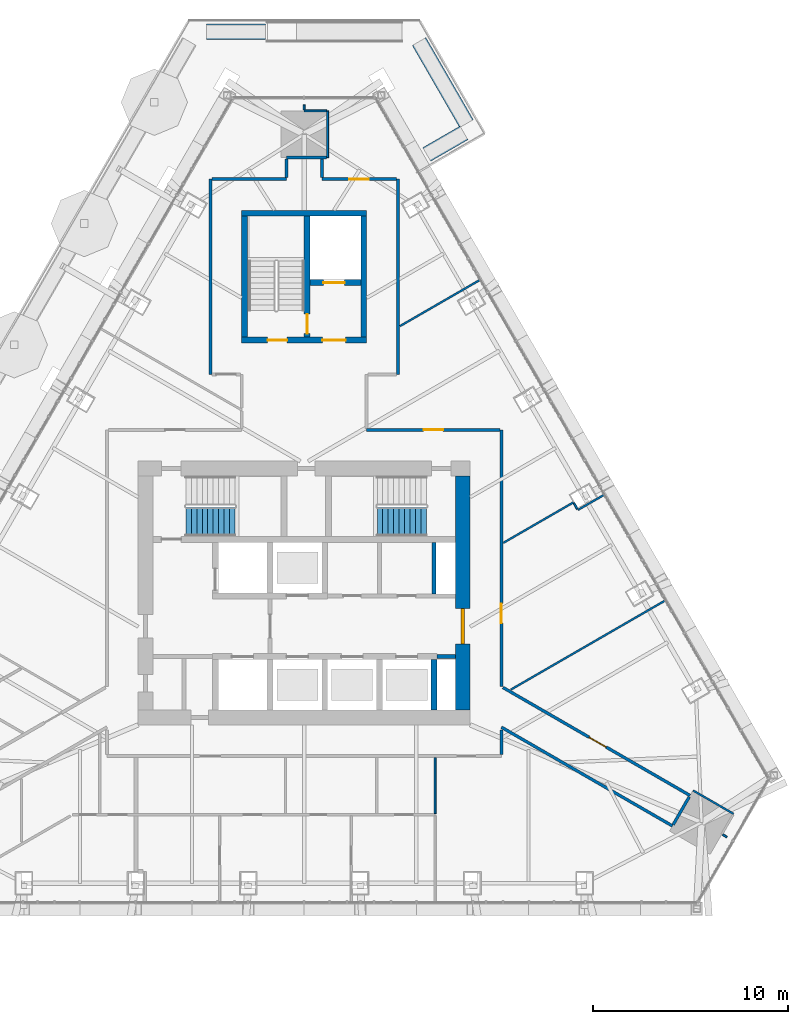
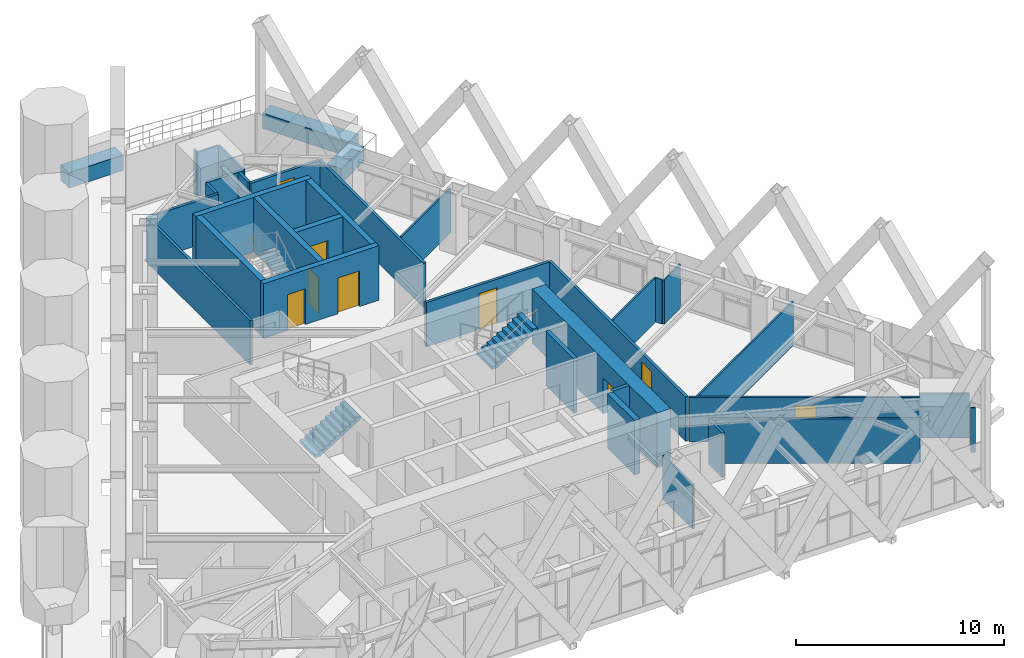
# One storey, part 20 of 24: 37 walls, 9 doors, 2 stair flights, 9 openings, 2 elements without a shape of their own.
"""IFC4 building model written with IfcOpenShell, lengths in metres."""

from ifc_helpers import new_model, si_unit, direction, frame, frame_2d, origin, place, context, subcontext, project, spatial, polyline, rectangle, outline, extrude, material, layer, layer_set, type_object, element, fill, aggregate, save


model = new_model("IFC4")

# Units and contexts
model_context = context("Model", 3, precision=1e-05, world=origin(), true_north=direction((0.0, 1.0)))
body_context = subcontext(model_context, "Body", "Model", "MODEL_VIEW")
ifc_project = project(units=[si_unit("LENGTHUNIT", "METRE"), si_unit("AREAUNIT", "SQUARE_METRE"), si_unit("VOLUMEUNIT", "CUBIC_METRE"), si_unit("PLANEANGLEUNIT", "RADIAN"), si_unit("MASSUNIT", "GRAM", prefix="KILO")], contexts=[model_context])

# Site, building, storey
site_placement = place(None, origin())
site = spatial("IfcSite", under=ifc_project, at=site_placement, CompositionType="ELEMENT")
building_placement = place(site_placement, origin())
building = spatial("IfcBuilding", under=site, at=building_placement, Name="Firuza Gate Tower and Library", CompositionType="ELEMENT")
storey_placement = place(building_placement, frame((0.0, 0.0, 323.10009765625)))
storey = spatial("IfcBuildingStorey", under=building, at=storey_placement, Name="L79", CompositionType="ELEMENT", Elevation=323.10009765625)

# Walls
ifc_material_1 = material(Name="Plasterboard on steel studs", Category="steel")
ifc_layer_1 = layer(ifc_material_1, 0.199951171875)
ifc_layer_set_1 = layer_set([ifc_layer_1], Name="Core partition 200 EI 120")
wall_type_1 = type_object("IfcWallType", Name="Core partition 200 EI 120", PredefinedType="PARTITIONING", material=ifc_layer_set_1)
wall_1_placement = place(storey_placement, frame((81.800048828125, 71.75, 0.0), z_axis=(0.0, 0.0, 1.0), x_axis=(1.0, 0.0, 0.0)))
element("IfcWall", 1, at=wall_1_placement, inside=storey, type_object=wall_type_1, Name="Core partition L79 2", PredefinedType="PARTITIONING", context=body_context, shape_type="SweptSolid", body=[
    extrude(rectangle(XDim=0.949951171875, YDim=0.199951171875, at=frame_2d((0.47509765625, 0.0))), origin(), (0.0, 0.0, 1.0), 3.199951171875),
])
wall_2_placement = place(storey_placement, frame((81.64990234375, 74.949951171875, 0.0), z_axis=(0.0, 0.0, 1.0), x_axis=(0.0, 1.0, 0.0)))
element("IfcWall", 2, at=wall_2_placement, inside=storey, type_object=wall_type_1, Name="Core partition L79 7", PredefinedType="PARTITIONING", context=body_context, shape_type="SweptSolid", body=[
    extrude(rectangle(XDim=2.650146484375, YDim=0.199951171875, at=frame_2d((1.3251953125, 0.0))), origin(), (0.0, 0.0, 1.0), 3.199951171875),
])
ifc_material_2 = material(Name="Concrete C60/75", Category="concrete")
ifc_layer_2 = layer(ifc_material_2, 0.300048828125)
ifc_layer_set_2 = layer_set([ifc_layer_2], Name="Core wall 300 C60/75")
wall_type_2 = type_object("IfcWallType", Name="Core wall 300 C60/75", PredefinedType="SHEAR", material=ifc_layer_set_2)
wall_3_placement = place(storey_placement, frame((81.64990234375, 69.0, 0.0), z_axis=(0.0, 0.0, 1.0), x_axis=(0.0, 1.0, 0.0)))
element("IfcWall", 3, at=wall_3_placement, inside=storey, type_object=wall_type_2, Name="Core wall L79 14", PredefinedType="SHEAR", context=body_context, shape_type="SweptSolid", body=[
    extrude(rectangle(XDim=2.60009765625, YDim=0.300048828125, at=frame_2d((1.300048828125, 0.0))), origin(), (0.0, 0.0, 1.0), 3.199951171875),
])

# Wall, openings, doors
wall_4_placement = place(storey_placement, frame((71.800048828125, 87.949951171875, 0.0), z_axis=(0.0, 0.0, 1.0), x_axis=(1.0, 0.0, 0.0)))
wall_4 = element("IfcWall", 4, at=wall_4_placement, inside=storey, type_object=wall_type_2, Name="Core wall L79 18", PredefinedType="SHEAR", context=body_context, shape_type="SweptSolid", body=[
    extrude(rectangle(XDim=6.39990234375, YDim=0.300048828125, at=frame_2d((3.199951171875, 0.0))), origin(), (0.0, 0.0, 1.0), 3.199951171875),
])
opening_1_placement = place(wall_4_placement, frame((1.324951171875, 0.0, 0.0)))
opening_1 = element("IfcOpeningElement", 5, at=opening_1_placement, cuts=wall_4, Name="Opening L79-K11", PredefinedType="OPENING", context=body_context, shape_type="SweptSolid", body=[
    extrude(rectangle(XDim=1.0, YDim=2.10009765625, at=frame_2d((0.5, 1.050048828125))), frame((0.0, 0.16015625, 0.0), z_axis=(0.0, -1.0, 0.0), x_axis=(1.0, 0.0, 0.0)), (0.0, 0.0, 1.0), 0.320068359375),
])
opening_2_placement = place(wall_4_placement, frame((4.125, 0.0, 0.0)))
opening_2 = element("IfcOpeningElement", 6, at=opening_2_placement, cuts=wall_4, Name="Opening L79-K13", PredefinedType="OPENING", context=body_context, shape_type="SweptSolid", body=[
    extrude(rectangle(XDim=1.199951171875, YDim=2.10009765625, at=frame_2d((0.60009765625, 1.050048828125))), frame((0.0, 0.16015625, 0.0), z_axis=(0.0, -1.0, 0.0), x_axis=(1.0, 0.0, 0.0)), (0.0, 0.0, 1.0), 0.320068359375),
])
ifc_material_3 = material(Name="Steel", Category="steel")
door_type_1 = type_object("IfcDoorType", Name="Fire door 1000x2100 FD90", OperationType="NOTDEFINED", PredefinedType="DOOR", material=ifc_material_3)
door_1_placement = place(opening_1_placement, origin())
door_1 = element("IfcDoor", 7, at=door_1_placement, inside=storey, type_object=door_type_1, Name="Door L79-K11", OperationType="SINGLE_SWING_RIGHT", OverallHeight=2.10009765625, OverallWidth=1.0, PredefinedType="DOOR", context=body_context, shape_type="SweptSolid", body=[
    extrude(rectangle(XDim=1.0, YDim=2.10009765625, at=frame_2d((0.5, 1.050048828125))), frame((0.0, 0.02490234375, 0.0), z_axis=(0.0, -1.0, 0.0), x_axis=(1.0, 0.0, 0.0)), (0.0, 0.0, 1.0), 0.050048828125),
])
fill(opening_1, door_1)
ifc_material_4 = material(Name="Steel", Category="steel")
door_type_2 = type_object("IfcDoorType", Name="Fire door 1200x2100 FD30S", OperationType="NOTDEFINED", PredefinedType="DOOR", material=ifc_material_4)
door_2_placement = place(opening_2_placement, origin())
door_2 = element("IfcDoor", 8, at=door_2_placement, inside=storey, type_object=door_type_2, Name="Door L79-K13", OperationType="SINGLE_SWING_RIGHT", OverallHeight=2.10009765625, OverallWidth=1.199951171875, PredefinedType="DOOR", context=body_context, shape_type="SweptSolid", body=[
    extrude(rectangle(XDim=1.199951171875, YDim=2.10009765625, at=frame_2d((0.60009765625, 1.050048828125))), frame((0.0, 0.02490234375, 0.0), z_axis=(0.0, -1.0, 0.0), x_axis=(1.0, 0.0, 0.0)), (0.0, 0.0, 1.0), 0.050048828125),
])
fill(opening_2, door_2)

# Walls
wall_5_placement = place(storey_placement, frame((71.800048828125, 94.449951171875, 0.0), z_axis=(0.0, 0.0, 1.0), x_axis=(1.0, 0.0, 0.0)))
element("IfcWall", 9, at=wall_5_placement, inside=storey, type_object=wall_type_2, Name="Core wall L79 19", PredefinedType="SHEAR", context=body_context, shape_type="SweptSolid", body=[
    extrude(rectangle(XDim=6.39990234375, YDim=0.300048828125, at=frame_2d((3.199951171875, 0.0))), origin(), (0.0, 0.0, 1.0), 3.199951171875),
])
for number, where, z_axis, x_axis, name in (
    (10, (71.949951171875, 88.10009765625, 0.0), (0.0, 0.0, 1.0), (0.0, 1.0, 0.0), "Core wall L79 20"),
    (11, (78.050048828125, 88.10009765625, 0.0), (0.0, 0.0, 1.0), (0.0, 1.0, 0.0), "Core wall L79 21"),
):
    element("IfcWall", number, at=place(storey_placement, frame(where, z_axis=z_axis, x_axis=x_axis)), inside=storey, type_object=wall_type_2, Name=name, PredefinedType="SHEAR", context=body_context, shape_type="SweptSolid", body=[
        extrude(rectangle(XDim=6.199951171875, YDim=0.300048828125, at=frame_2d((3.10009765625, 0.0))), origin(), (0.0, 0.0, 1.0), 3.199951171875),
    ])

# Wall, opening, door
wall_6_placement = place(storey_placement, frame((75.300048828125, 90.89990234375, 0.0), z_axis=(0.0, 0.0, 1.0), x_axis=(1.0, 0.0, 0.0)))
wall_6 = element("IfcWall", 12, at=wall_6_placement, inside=storey, type_object=wall_type_2, Name="Core wall L79 22", PredefinedType="SHEAR", context=body_context, shape_type="SweptSolid", body=[
    extrude(rectangle(XDim=2.599853515625, YDim=0.300048828125, at=frame_2d((1.2998046875, 0.0))), origin(), (0.0, 0.0, 1.0), 3.199951171875),
])
opening_3_placement = place(wall_6_placement, frame((0.675048828125, 0.0, 0.0)))
opening_3 = element("IfcOpeningElement", 13, at=opening_3_placement, cuts=wall_6, Name="Opening LD-SV1-L79", PredefinedType="OPENING", context=body_context, shape_type="SweptSolid", body=[
    extrude(rectangle(XDim=1.10009765625, YDim=2.10009765625, at=frame_2d((0.550048828125, 1.050048828125))), frame((0.0, 0.16015625, 0.0), z_axis=(0.0, -1.0, 0.0), x_axis=(1.0, 0.0, 0.0)), (0.0, 0.0, 1.0), 0.320068359375),
])
ifc_material_5 = material(Name="Stainless steel", Category="steel")
door_type_3 = type_object("IfcDoorType", Name="Lift landing door 1100x2100", OperationType="DOUBLE_DOOR_SLIDING", PredefinedType="DOOR", material=ifc_material_5)
door_3_placement = place(opening_3_placement, origin())
door_3 = element("IfcDoor", 14, at=door_3_placement, inside=storey, type_object=door_type_3, Name="Landing door SV1 L79", OperationType="DOUBLE_DOOR_SLIDING", OverallHeight=2.10009765625, OverallWidth=1.10009765625, PredefinedType="DOOR", context=body_context, shape_type="SweptSolid", body=[
    extrude(rectangle(XDim=1.10009765625, YDim=2.10009765625, at=frame_2d((0.550048828125, 1.050048828125))), frame((0.0, 0.02490234375, 0.0), z_axis=(0.0, -1.0, 0.0), x_axis=(1.0, 0.0, 0.0)), (0.0, 0.0, 1.0), 0.050048828125),
])
fill(opening_3, door_3)

wall_7_placement = place(storey_placement, frame((75.14990234375, 88.10009765625, 0.0), z_axis=(0.0, 0.0, 1.0), x_axis=(0.0, 1.0, 0.0)))
wall_7 = element("IfcWall", 15, at=wall_7_placement, inside=storey, type_object=wall_type_2, Name="Core wall L79 23", PredefinedType="SHEAR", context=body_context, shape_type="SweptSolid", body=[
    extrude(rectangle(XDim=6.199951171875, YDim=0.300048828125, at=frame_2d((3.10009765625, 0.0))), origin(), (0.0, 0.0, 1.0), 3.199951171875),
])
opening_4_placement = place(wall_7_placement, frame((0.18505859375, 0.0, 0.0)))
opening_4 = element("IfcOpeningElement", 16, at=opening_4_placement, cuts=wall_7, Name="Opening L79-K12", PredefinedType="OPENING", context=body_context, shape_type="SweptSolid", body=[
    extrude(rectangle(XDim=1.0, YDim=2.10009765625, at=frame_2d((0.5, 1.050048828125))), frame((0.0, 0.16015625, 0.0), z_axis=(0.0, -1.0, 0.0), x_axis=(1.0, 0.0, 0.0)), (0.0, 0.0, 1.0), 0.320068359375),
])
door_4_placement = place(opening_4_placement, origin())
door_4 = element("IfcDoor", 17, at=door_4_placement, inside=storey, type_object=door_type_1, Name="Door L79-K12", OperationType="SINGLE_SWING_LEFT", OverallHeight=2.10009765625, OverallWidth=1.0, PredefinedType="DOOR", context=body_context, shape_type="SweptSolid", body=[
    extrude(rectangle(XDim=1.0, YDim=2.10009765625, at=frame_2d((0.5, 1.050048828125))), frame((0.0, 0.02490234375, 0.0), z_axis=(0.0, -1.0, 0.0), x_axis=(1.0, 0.0, 0.0)), (0.0, 0.0, 1.0), 0.050048828125),
])
fill(opening_4, door_4)

ifc_material_6 = material(Name="Concrete C60/75", Category="concrete")
ifc_layer_3 = layer(ifc_material_6, 0.75)
ifc_layer_set_3 = layer_set([ifc_layer_3], Name="Core wall 750 C60/75")
wall_type_3 = type_object("IfcWallType", Name="Core wall 750 C60/75", PredefinedType="SHEAR", material=ifc_layer_set_3)
wall_8_placement = place(storey_placement, frame((83.125, 69.0, 0.0), z_axis=(0.0, 0.0, 1.0), x_axis=(0.0, 1.0, 0.0)))
wall_8 = element("IfcWall", 18, at=wall_8_placement, inside=storey, type_object=wall_type_3, Name="Core wall L79 4", PredefinedType="SHEAR", context=body_context, shape_type="SweptSolid", body=[
    extrude(rectangle(XDim=12.0, YDim=0.75, at=frame_2d((6.0, 0.0))), origin(), (0.0, 0.0, 1.0), 3.199951171875),
])
opening_5_placement = place(wall_8_placement, frame((3.39990234375, 0.0, 0.0)))
opening_5 = element("IfcOpeningElement", 19, at=opening_5_placement, cuts=wall_8, Name="Opening L79-K16", PredefinedType="OPENING", context=body_context, shape_type="SweptSolid", body=[
    extrude(rectangle(XDim=1.800048828125, YDim=2.10009765625, at=frame_2d((0.89990234375, 1.050048828125))), frame((0.0, 0.385009765625, 0.0), z_axis=(0.0, -1.0, 0.0), x_axis=(1.0, 0.0, 0.0)), (0.0, 0.0, 1.0), 0.77001953125),
])
ifc_material_7 = material(Name="Steel", Category="steel")
door_type_4 = type_object("IfcDoorType", Name="Fire door 1800x2100 FD30S", OperationType="NOTDEFINED", PredefinedType="DOOR", material=ifc_material_7)
door_5_placement = place(opening_5_placement, origin())
door_5 = element("IfcDoor", 20, at=door_5_placement, inside=storey, type_object=door_type_4, Name="Door L79-K16", OperationType="SINGLE_SWING_LEFT", OverallHeight=2.10009765625, OverallWidth=1.800048828125, PredefinedType="DOOR", context=body_context, shape_type="SweptSolid", body=[
    extrude(rectangle(XDim=1.800048828125, YDim=2.10009765625, at=frame_2d((0.89990234375, 1.050048828125))), frame((0.0, 0.094970703125, 0.0), z_axis=(0.0, -1.0, 0.0), x_axis=(1.0, 0.0, 0.0)), (0.0, 0.0, 1.0), 0.18994140625),
])
fill(opening_5, door_5)

ifc_material_8 = material(Name="Gypsum board partition")
ifc_layer_4 = layer(ifc_material_8, 0.14990234375)
ifc_layer_set_4 = layer_set([ifc_layer_4], Name="Corridor wall 150 double board on steel studs")
wall_type_4 = type_object("IfcWallType", Name="Corridor wall 150 double board on steel studs", PredefinedType="PARTITIONING", material=ifc_layer_set_4)
wall_9_placement = place(storey_placement, frame((78.199951171875, 83.35009765625, 0.0), z_axis=(0.0, 0.0, 1.0), x_axis=(1.0, 0.0, 0.0)))
wall_9 = element("IfcWall", 21, at=wall_9_placement, inside=storey, type_object=wall_type_4, Name="f:L79:w004", PredefinedType="PARTITIONING", context=body_context, shape_type="SweptSolid", body=[
    extrude(rectangle(XDim=6.824462890625, YDim=0.14990234375, at=frame_2d((3.412109375, 0.0))), origin(), (0.0, 0.0, 1.0), 2.599853515625),
])
opening_6_placement = place(wall_9_placement, frame((2.912109375, 0.0, 0.0)))
opening_6 = element("IfcOpeningElement", 22, at=opening_6_placement, cuts=wall_9, Name="Opening L79-09", PredefinedType="OPENING", context=body_context, shape_type="SweptSolid", body=[
    extrude(rectangle(XDim=1.0, YDim=2.10009765625, at=frame_2d((0.5, 1.050048828125))), frame((0.0, 0.0849609375, 0.0), z_axis=(0.0, -1.0, 0.0), x_axis=(1.0, 0.0, 0.0)), (0.0, 0.0, 1.0), 0.169921875),
])
ifc_material_9 = material(Name="Steel door and timber leaf", Category="steel")
door_type_5 = type_object("IfcDoorType", Name="Fire door 1000 x 2100 steel frame, timber leaf", OperationType="NOTDEFINED", PredefinedType="DOOR", material=ifc_material_9)
door_6_placement = place(opening_6_placement, origin())
door_6 = element("IfcDoor", 23, at=door_6_placement, inside=storey, type_object=door_type_5, Name="f:L79:d009", OperationType="SINGLE_SWING_RIGHT", OverallHeight=2.10009765625, OverallWidth=1.0, PredefinedType="DOOR", context=body_context, shape_type="SweptSolid", body=[
    extrude(rectangle(XDim=1.0, YDim=2.10009765625, at=frame_2d((0.5, 1.050048828125))), frame((0.0, 0.02490234375, 0.0), z_axis=(0.0, -1.0, 0.0), x_axis=(1.0, 0.0, 0.0)), (0.0, 0.0, 1.0), 0.050048828125),
])
fill(opening_6, door_6)

# Wall
wall_10_placement = place(storey_placement, frame((70.275634765625, 96.199951171875, 0.0), z_axis=(0.0, 0.0, 1.0), x_axis=(1.0, 0.0, 0.0)))
element("IfcWall", 24, at=wall_10_placement, inside=storey, type_object=wall_type_4, Name="f:L79:w007", PredefinedType="PARTITIONING", context=body_context, shape_type="SweptSolid", body=[
    extrude(rectangle(XDim=3.824462890625, YDim=0.14990234375, at=frame_2d((1.912109375, 0.0))), origin(), (0.0, 0.0, 1.0), 2.599853515625),
])

# Wall, opening, door
wall_11_placement = place(storey_placement, frame((79.724609375, 96.199951171875, 0.0), z_axis=(0.0, 0.0, 1.0), x_axis=(-1.0, 0.0, 0.0)))
wall_11 = element("IfcWall", 25, at=wall_11_placement, inside=storey, type_object=wall_type_4, Name="f:L79:w008", PredefinedType="PARTITIONING", context=body_context, shape_type="SweptSolid", body=[
    extrude(rectangle(XDim=3.82470703125, YDim=0.14990234375, at=frame_2d((1.912353515625, 0.0))), origin(), (0.0, 0.0, 1.0), 2.599853515625),
])
opening_7_placement = place(wall_11_placement, frame((1.412353515625, 0.0, 0.0)))
opening_7 = element("IfcOpeningElement", 26, at=opening_7_placement, cuts=wall_11, Name="Opening L79-11", PredefinedType="OPENING", context=body_context, shape_type="SweptSolid", body=[
    extrude(rectangle(XDim=1.0, YDim=2.10009765625, at=frame_2d((0.5, 1.050048828125))), frame((0.0, 0.0849609375, 0.0), z_axis=(0.0, -1.0, 0.0), x_axis=(1.0, 0.0, 0.0)), (0.0, 0.0, 1.0), 0.169921875),
])
door_7_placement = place(opening_7_placement, origin())
door_7 = element("IfcDoor", 27, at=door_7_placement, inside=storey, type_object=door_type_5, Name="f:L79:d011", OperationType="SINGLE_SWING_RIGHT", OverallHeight=2.10009765625, OverallWidth=1.0, PredefinedType="DOOR", context=body_context, shape_type="SweptSolid", body=[
    extrude(rectangle(XDim=1.0, YDim=2.10009765625, at=frame_2d((0.5, 1.050048828125))), frame((0.0, 0.02490234375, 0.0), z_axis=(0.0, -1.0, 0.0), x_axis=(1.0, 0.0, 0.0)), (0.0, 0.0, 1.0), 0.050048828125),
])
fill(opening_7, door_7)

# Walls
wall_12_placement = place(storey_placement, frame((74.1005859375, 97.29296875, 0.0), z_axis=(0.0, 0.0, 1.0), x_axis=(1.0, 0.0, 0.0)))
element("IfcWall", 28, at=wall_12_placement, inside=storey, type_object=wall_type_4, Name="f:L79:w009", PredefinedType="PARTITIONING", context=body_context, shape_type="SweptSolid", body=[
    extrude(rectangle(XDim=2.048828125, YDim=0.14990234375, at=frame_2d((1.0244140625, 0.0))), origin(), (0.0, 0.0, 1.0), 2.596923828125),
])
wall_13_placement = place(storey_placement, frame((93.893310546875, 63.139892578125, 0.0), z_axis=(0.0, 0.0, 1.0), x_axis=(0.499988108725, 0.866032269107, 0.0)))
element("IfcWall", 29, at=wall_13_placement, inside=storey, type_object=wall_type_4, Name="f:L79:w021", PredefinedType="PARTITIONING", context=body_context, shape_type="SweptSolid", body=[
    extrude(rectangle(XDim=1.64404296875, YDim=0.14990234375, at=frame_2d((0.822021484375, 0.0))), origin(), (0.0, 0.0, 1.0), 2.596923828125),
])
wall_14_placement = place(storey_placement, frame((85.10009765625, 66.7255859375, 0.0), z_axis=(0.0, 0.0, 1.0), x_axis=(0.0, 1.0, 0.0)))
element("IfcWall", 30, at=wall_14_placement, inside=storey, type_object=wall_type_4, Name="f:L79:w022", PredefinedType="PARTITIONING", context=body_context, shape_type="SweptSolid", body=[
    extrude(rectangle(XDim=1.267333984375, YDim=0.14990234375, at=frame_2d((0.6337890625, 0.0))), origin(), (0.0, 0.0, 1.0), 2.596923828125),
])

# Wall, opening, door
wall_15_placement = place(storey_placement, frame((85.10009765625, 83.349365234375, 0.0), z_axis=(0.0, 0.0, 1.0), x_axis=(0.0, -1.0, 0.0)))
wall_15 = element("IfcWall", 31, at=wall_15_placement, inside=storey, type_object=wall_type_4, Name="f:L79:w023", PredefinedType="PARTITIONING", context=body_context, shape_type="SweptSolid", body=[
    extrude(rectangle(XDim=13.141357421875, YDim=0.14990234375, at=frame_2d((6.57080078125, 0.0))), origin(), (0.0, 0.0, 1.0), 2.599853515625),
])
opening_8_placement = place(wall_15_placement, frame((8.88623046875, 0.0, 0.0)))
opening_8 = element("IfcOpeningElement", 32, at=opening_8_placement, cuts=wall_15, Name="Opening L79-17", PredefinedType="OPENING", context=body_context, shape_type="SweptSolid", body=[
    extrude(rectangle(XDim=1.0, YDim=2.10009765625, at=frame_2d((0.5, 1.050048828125))), frame((0.0, 0.0849609375, 0.0), z_axis=(0.0, -1.0, 0.0), x_axis=(1.0, 0.0, 0.0)), (0.0, 0.0, 1.0), 0.169921875),
])
door_8_placement = place(opening_8_placement, origin())
door_8 = element("IfcDoor", 33, at=door_8_placement, inside=storey, type_object=door_type_5, Name="f:L79:d017", OperationType="SINGLE_SWING_RIGHT", OverallHeight=2.10009765625, OverallWidth=1.0, PredefinedType="DOOR", context=body_context, shape_type="SweptSolid", body=[
    extrude(rectangle(XDim=1.0, YDim=2.10009765625, at=frame_2d((0.5, 1.050048828125))), frame((0.0, 0.02490234375, 0.0), z_axis=(0.0, -1.0, 0.0), x_axis=(1.0, 0.0, 0.0)), (0.0, 0.0, 1.0), 0.050048828125),
])
fill(opening_8, door_8)

# Walls
wall_16_placement = place(storey_placement, frame((79.800048828125, 86.200439453125, 0.0), z_axis=(0.0, 0.0, 1.0), x_axis=(0.0, 1.0, 0.0)))
element("IfcWall", 34, at=wall_16_placement, inside=storey, type_object=wall_type_4, Name="f:L79:w025", PredefinedType="PARTITIONING", context=body_context, shape_type="SweptSolid", body=[
    extrude(rectangle(XDim=9.9990234375, YDim=0.14990234375, at=frame_2d((4.99951171875, 0.0))), origin(), (0.0, 0.0, 1.0), 2.599853515625),
])
wall_17_placement = place(storey_placement, frame((75.89990234375, 96.27490234375, 0.0), z_axis=(0.0, 0.0, 1.0), x_axis=(0.0, 1.0, 0.0)))
element("IfcWall", 35, at=wall_17_placement, inside=storey, type_object=wall_type_4, Name="f:L79:w030", PredefinedType="PARTITIONING", context=body_context, shape_type="SweptSolid", body=[
    extrude(rectangle(XDim=0.942626953125, YDim=0.14990234375, at=frame_2d((0.47119140625, 0.0))), origin(), (0.0, 0.0, 1.0), 2.599853515625),
])
wall_18_placement = place(storey_placement, frame((74.10009765625, 96.27490234375, 0.0), z_axis=(0.0, 0.0, 1.0), x_axis=(0.0, 1.0, 0.0)))
element("IfcWall", 36, at=wall_18_placement, inside=storey, type_object=wall_type_4, Name="f:L79:w032", PredefinedType="PARTITIONING", context=body_context, shape_type="SweptSolid", body=[
    extrude(rectangle(XDim=0.942138671875, YDim=0.14990234375, at=frame_2d((0.47119140625, 0.0))), origin(), (0.0, 0.0, 1.0), 2.599853515625),
])
wall_19_placement = place(storey_placement, frame((70.199951171875, 86.200439453125, 0.0), z_axis=(0.0, 0.0, 1.0), x_axis=(0.0, 1.0, 0.0)))
element("IfcWall", 37, at=wall_19_placement, inside=storey, type_object=wall_type_4, Name="f:L79:w036", PredefinedType="PARTITIONING", context=body_context, shape_type="SweptSolid", body=[
    extrude(rectangle(XDim=9.9990234375, YDim=0.14990234375, at=frame_2d((4.99951171875, 0.0))), origin(), (0.0, 0.0, 1.0), 2.599853515625),
])

# Wall, opening, door
wall_20_placement = place(storey_placement, frame((85.175048828125, 70.164794921875, 0.0), z_axis=(0.0, 0.0, 1.0), x_axis=(0.866024989193, -0.500000718093, 0.0)))
wall_20 = element("IfcWall", 38, at=wall_20_placement, inside=storey, type_object=wall_type_4, Name="f:L79:w047", PredefinedType="PARTITIONING", context=body_context, shape_type="SweptSolid", body=[
    extrude(rectangle(XDim=11.06298828125, YDim=0.14990234375, at=frame_2d((5.531494140625, 0.0))), origin(), (0.0, 0.0, 1.0), 2.599853515625),
])
opening_9_placement = place(wall_20_placement, frame((5.102294921875, 0.0, 0.0)))
opening_9 = element("IfcOpeningElement", 39, at=opening_9_placement, cuts=wall_20, Name="Opening L79-20", PredefinedType="OPENING", context=body_context, shape_type="SweptSolid", body=[
    extrude(rectangle(XDim=1.0, YDim=2.10009765625, at=frame_2d((0.5, 1.050048828125))), frame((0.0, 0.0849609375, 0.0), z_axis=(0.0, -1.0, 0.0), x_axis=(1.0, 0.0, 0.0)), (0.0, 0.0, 1.0), 0.169921875),
])
door_9_placement = place(opening_9_placement, origin())
door_9 = element("IfcDoor", 40, at=door_9_placement, inside=storey, type_object=door_type_5, Name="f:L79:d020", OperationType="SINGLE_SWING_LEFT", OverallHeight=2.10009765625, OverallWidth=1.0, PredefinedType="DOOR", context=body_context, shape_type="SweptSolid", body=[
    extrude(rectangle(XDim=1.0, YDim=2.10009765625, at=frame_2d((0.5, 1.050048828125))), frame((0.0, 0.02490234375, 0.0), z_axis=(0.0, -1.0, 0.0), x_axis=(1.0, 0.0, 0.0)), (0.0, 0.0, 1.0), 0.050048828125),
])
fill(opening_9, door_9)

# Walls
wall_21_placement = place(storey_placement, frame((93.85546875, 63.07470703125, 0.0), z_axis=(0.0, 0.0, 1.0), x_axis=(-0.866024727794, 0.500001170848, 0.0)))
element("IfcWall", 41, at=wall_21_placement, inside=storey, type_object=wall_type_4, Name="f:L79:w049", PredefinedType="PARTITIONING", context=body_context, shape_type="SweptSolid", body=[
    extrude(rectangle(XDim=10.10986328125, YDim=0.14990234375, at=frame_2d((5.054931640625, 0.0))), origin(), (0.0, 0.0, 1.0), 2.596923828125),
])
ifc_material_10 = material(Name="Gypsum board partition")
ifc_layer_5 = layer(ifc_material_10, 0.10009765625)
ifc_layer_set_5 = layer_set([ifc_layer_5], Name="Partition 100 gypsum board on steel studs")
wall_type_5 = type_object("IfcWallType", Name="Partition 100 gypsum board on steel studs", PredefinedType="PARTITIONING", material=ifc_layer_set_5)
wall_22_placement = place(storey_placement, frame((75.00048828125, 99.693115234375, 0.0), z_axis=(0.0, 0.0, 1.0), x_axis=(1.0, 0.0, 0.0)))
element("IfcWall", 42, at=wall_22_placement, inside=storey, type_object=wall_type_5, Name="f:L79:w010", PredefinedType="PARTITIONING", context=body_context, shape_type="SweptSolid", body=[
    extrude(rectangle(XDim=1.14892578125, YDim=0.10009765625, at=frame_2d((0.574462890625, 0.0))), origin(), (0.0, 0.0, 1.0), 2.599853515625),
])
wall_23_placement = place(storey_placement, frame((85.57421875, 70.051025390625, 0.0), z_axis=(0.0, 0.0, 1.0), x_axis=(0.866020575072, 0.500008363482, 0.0)))
element("IfcWall", 43, at=wall_23_placement, inside=storey, type_object=wall_type_5, Name="f:L79:w011", PredefinedType="PARTITIONING", context=body_context, shape_type="SweptSolid", body=[
    extrude(rectangle(XDim=9.140869140625, YDim=0.10009765625, at=frame_2d((4.5703125, 0.0))), origin(), (0.0, 0.0, 1.0), 2.587890625),
])
wall_24_placement = place(storey_placement, frame((89.014404296875, 79.25537109375, 0.0), z_axis=(0.0, 0.0, 1.0), x_axis=(0.866018739521, 0.500011542666, 0.0)))
element("IfcWall", 44, at=wall_24_placement, inside=storey, type_object=wall_type_5, Name="f:L79:w013", PredefinedType="PARTITIONING", context=body_context, shape_type="SweptSolid", body=[
    extrude(rectangle(XDim=1.5595703125, YDim=0.10009765625, at=frame_2d((0.77978515625, 0.0))), origin(), (0.0, 0.0, 1.0), 2.587890625),
])
wall_25_placement = place(storey_placement, frame((85.200927734375, 77.5732421875, 0.0), z_axis=(0.0, 0.0, 1.0), x_axis=(0.866029543084, 0.499992830454, 0.0)))
element("IfcWall", 45, at=wall_25_placement, inside=storey, type_object=wall_type_5, Name="f:L79:w014", PredefinedType="PARTITIONING", context=body_context, shape_type="SweptSolid", body=[
    extrude(rectangle(XDim=4.142578125, YDim=0.10009765625, at=frame_2d((2.0712890625, 0.0))), origin(), (0.0, 0.0, 1.0), 2.599853515625),
])
wall_26_placement = place(storey_placement, frame((79.90087890625, 88.667724609375, 0.0), z_axis=(0.0, 0.0, 1.0), x_axis=(0.866040813102, 0.499973309328, 0.0)))
element("IfcWall", 46, at=wall_26_placement, inside=storey, type_object=wall_type_5, Name="f:L79:w019", PredefinedType="PARTITIONING", context=body_context, shape_type="SweptSolid", body=[
    extrude(rectangle(XDim=4.745849609375, YDim=0.10009765625, at=frame_2d((2.373046875, 0.0))), origin(), (0.0, 0.0, 1.0), 2.599853515625),
])
wall_27_placement = place(storey_placement, frame((76.199951171875, 97.29296875, 0.0), z_axis=(0.0, 0.0, 1.0), x_axis=(0.0, 1.0, 0.0)))
element("IfcWall", 47, at=wall_27_placement, inside=storey, type_object=wall_type_5, Name="f:L79:w029", PredefinedType="PARTITIONING", context=body_context, shape_type="SweptSolid", body=[
    extrude(rectangle(XDim=2.399169921875, YDim=0.10009765625, at=frame_2d((1.19970703125, 0.0))), origin(), (0.0, 0.0, 1.0), 2.599853515625),
])
wall_28_placement = place(storey_placement, frame((75.0, 99.7431640625, 0.0), z_axis=(0.0, 0.0, 1.0), x_axis=(0.0, 1.0, 0.0)))
element("IfcWall", 48, at=wall_28_placement, inside=storey, type_object=wall_type_5, Name="f:L79:w031", PredefinedType="PARTITIONING", context=body_context, shape_type="SweptSolid", body=[
    extrude(rectangle(XDim=0.249267578125, YDim=0.10009765625, at=frame_2d((0.12451171875, 0.0))), origin(), (0.0, 0.0, 1.0), 2.599853515625),
])
wall_29_placement = place(storey_placement, frame((88.98876953125, 79.298828125, 0.0), z_axis=(0.0, 0.0, 1.0), x_axis=(-0.500126092966, 0.865952591736, 0.0)))
element("IfcWall", 49, at=wall_29_placement, inside=storey, type_object=wall_type_5, Name="f:L79:w043", PredefinedType="PARTITIONING", context=body_context, shape_type="SweptSolid", body=[
    extrude(rectangle(XDim=0.34912109375, YDim=0.10009765625, at=frame_2d((0.174560546875, 0.0))), origin(), (0.0, 0.0, 1.0), 2.599853515625),
])
wall_30_placement = place(storey_placement, frame((96.98388671875, 63.693359375, 0.0), z_axis=(0.0, 0.0, 1.0), x_axis=(-0.866011011868, 0.500024926702, 0.0)))
element("IfcWall", 50, at=wall_30_placement, inside=storey, type_object=wall_type_5, Name="f:L79:w046", PredefinedType="PARTITIONING", context=body_context, shape_type="SweptSolid", body=[
    extrude(rectangle(XDim=2.39892578125, YDim=0.10009765625, at=frame_2d((1.199462890625, 0.0))), origin(), (0.0, 0.0, 1.0), 2.599853515625),
])
wall_31_placement = place(storey_placement, frame((96.644287109375, 62.50390625, 0.0), z_axis=(0.0, 0.0, 1.0), x_axis=(-0.866071776036, 0.499919672301, 0.0)))
element("IfcWall", 51, at=wall_31_placement, inside=storey, type_object=wall_type_5, Name="f:L79:w048", PredefinedType="PARTITIONING", context=body_context, shape_type="SweptSolid", body=[
    extrude(rectangle(XDim=0.25, YDim=0.10009765625, at=frame_2d((0.125, 0.0))), origin(), (0.0, 0.0, 1.0), 2.599853515625),
])
wall_32_placement = place(storey_placement, frame((81.700927734375, 63.7099609375, 0.0), z_axis=(0.0, 0.0, 1.0), x_axis=(0.0, 1.0, 0.0)))
element("IfcWall", 52, at=wall_32_placement, inside=storey, type_object=wall_type_5, Name="f:L79:w053", PredefinedType="PARTITIONING", context=body_context, shape_type="SweptSolid", body=[
    extrude(rectangle(XDim=2.864990234375, YDim=0.10009765625, at=frame_2d((1.4326171875, 0.0))), origin(), (0.0, 0.0, 1.0), 2.599853515625),
])
ifc_material_11 = material(Name="Concrete C40/50", Category="concrete")
ifc_layer_6 = layer(ifc_material_11, 0.800048828125)
ifc_layer_set_6 = layer_set([ifc_layer_6], Name="Planter wall 800")
wall_type_6 = type_object("IfcWallType", Name="Planter wall 800", PredefinedType="SOLIDWALL", material=ifc_layer_set_6)
wall_33_placement = place(storey_placement, frame((81.2744140625, 97.460205078125, 0.0), z_axis=(0.0, 0.0, 1.0), x_axis=(0.866008176907, 0.50002983664, 0.0)))
element("IfcWall", 53, at=wall_33_placement, inside=storey, type_object=wall_type_6, Name="PLANTER L79 1", PredefinedType="SOLIDWALL", context=body_context, shape_type="SweptSolid", body=[
    extrude(rectangle(XDim=2.199951171875, YDim=0.800048828125, at=frame_2d((1.10009765625, 0.0))), origin(), (0.0, 0.0, 1.0), 0.89990234375),
])
wall_34_placement = place(storey_placement, frame((83.307861328125, 99.038330078125, 0.0), z_axis=(0.0, 0.0, 1.0), x_axis=(-0.500015883528, 0.866016233231, 0.0)))
element("IfcWall", 54, at=wall_34_placement, inside=storey, type_object=wall_type_6, Name="PLANTER L79 2", PredefinedType="SOLIDWALL", context=body_context, shape_type="SweptSolid", body=[
    extrude(rectangle(XDim=4.849365234375, YDim=0.800048828125, at=frame_2d((2.4248046875, 0.0))), origin(), (0.0, 0.0, 1.0), 0.89990234375),
])
wall_35_placement = place(storey_placement, frame((73.009521484375, 103.74267578125, 0.0), z_axis=(0.0, 0.0, 1.0), x_axis=(-1.0, 0.0, 0.0)))
element("IfcWall", 55, at=wall_35_placement, inside=storey, type_object=wall_type_6, Name="PLANTER L79 3", PredefinedType="SOLIDWALL", context=body_context, shape_type="SweptSolid", body=[
    extrude(rectangle(XDim=3.01904296875, YDim=0.800048828125, at=frame_2d((1.509521484375, 0.0))), origin(), (0.0, 0.0, 1.0), 0.89990234375),
])

# Stair, stair flight
ifc_material_12 = material(Name="Concrete C35/45", Category="concrete")
stair_type = type_object("IfcStairType", Name="Exit stair ST8", PredefinedType="HALF_TURN_STAIR", material=ifc_material_12)
placement = place(storey_placement, origin())
stair_1 = element("IfcStair", 56, at=placement, inside=storey, type_object=stair_type, Name="L79 Stair ST1", PredefinedType="HALF_TURN_STAIR")
ifc_material_13 = material(Name="Concrete C35/45", Category="concrete")
stair_flight_type = type_object("IfcStairFlightType", Name="Stair flight 10 risers 175 width 1490", PredefinedType="STRAIGHT", material=ifc_material_13)
stair_flight_1_placement = place(storey_placement, frame((68.93994140625, 78.64501953125, 0.0), z_axis=(0.0, 0.0, 1.0), x_axis=(1.0, 0.0, 0.0)))
stair_flight_1 = element("IfcStairFlight", 57, at=stair_flight_1_placement, type_object=stair_flight_type, Name="ST1 flight 1", NumberOfRisers=10, NumberOfTreads=9, PredefinedType="STRAIGHT", RiserHeight=0.175, TreadLength=0.28, context=body_context, shape_type="SweptSolid", body=[
    extrude(outline(polyline([(0.0, 0.0), (0.0, 0.175048828125), (0.280029296875, 0.175048828125), (0.280029296875, 0.35009765625), (0.56005859375, 0.35009765625), (0.56005859375, 0.52490234375), (0.840087890625, 0.52490234375), (0.840087890625, 0.699951171875), (1.1201171875, 0.699951171875), (1.1201171875, 0.875), (1.39990234375, 0.875), (1.39990234375, 1.050048828125), (1.679931640625, 1.050048828125), (1.679931640625, 1.22509765625), (1.9599609375, 1.22509765625), (1.9599609375, 1.39990234375), (2.239990234375, 1.39990234375), (2.239990234375, 1.574951171875), (2.52001953125, 1.574951171875), (2.52001953125, 1.75), (2.52001953125, 1.398193359375), (0.28271484375, 0.0), (0.0, 0.0)])), frame((0.0, 0.7451171875, 0.0), z_axis=(0.0, -1.0, 0.0), x_axis=(1.0, 0.0, 0.0)), (0.0, 0.0, 1.0), 1.489990234375),
])
aggregate(stair_1, [stair_flight_1])

stair_2 = element("IfcStair", 58, at=placement, inside=storey, type_object=stair_type, Name="L79 Stair ST2", PredefinedType="HALF_TURN_STAIR")
stair_flight_2_placement = place(storey_placement, frame((78.739990234375, 78.64501953125, 1.75), z_axis=(0.0, 0.0, 1.0), x_axis=(1.0, 0.0, 0.0)))
stair_flight_2 = element("IfcStairFlight", 59, at=stair_flight_2_placement, type_object=stair_flight_type, Name="ST2 flight 2", NumberOfRisers=10, NumberOfTreads=9, PredefinedType="STRAIGHT", RiserHeight=0.175, TreadLength=0.28, context=body_context, shape_type="SweptSolid", body=[
    extrude(outline(polyline([(0.0, 0.0), (0.0, 0.175048828125), (0.280029296875, 0.175048828125), (0.280029296875, 0.35009765625), (0.56005859375, 0.35009765625), (0.56005859375, 0.52490234375), (0.840087890625, 0.52490234375), (0.840087890625, 0.699951171875), (1.1201171875, 0.699951171875), (1.1201171875, 0.875), (1.39990234375, 0.875), (1.39990234375, 1.050048828125), (1.679931640625, 1.050048828125), (1.679931640625, 1.22509765625), (1.9599609375, 1.22509765625), (1.9599609375, 1.39990234375), (2.239990234375, 1.39990234375), (2.239990234375, 1.574951171875), (2.52001953125, 1.574951171875), (2.52001953125, 1.75), (2.52001953125, 1.398193359375), (0.28271484375, 0.0), (0.0, 0.0)])), frame((0.0, 0.7451171875, 0.0), z_axis=(0.0, -1.0, 0.0), x_axis=(1.0, 0.0, 0.0)), (0.0, 0.0, 1.0), 1.489990234375),
])
aggregate(stair_2, [stair_flight_2])

save(model, "model.ifc")
